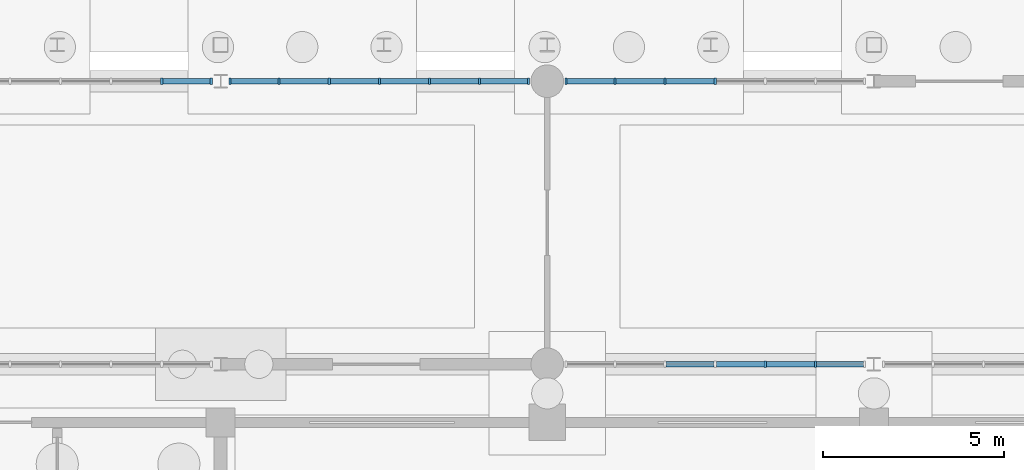
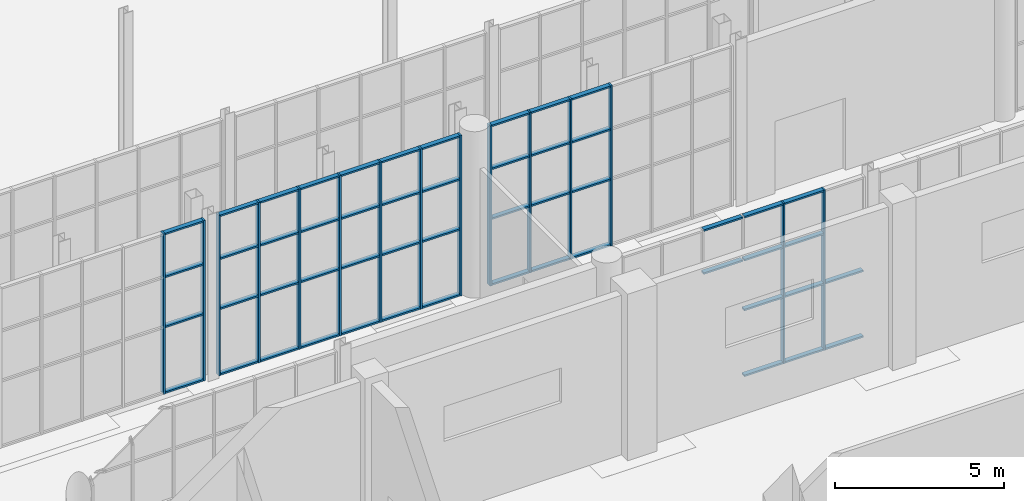
# One storey, part 46 of 131: 67 members, 4 elements without a shape of their own.
"""IFC4 building model written with IfcOpenShell, lengths in metres."""

from ifc_helpers import new_model, si_unit, direction, frame, origin, origin_2d, place, context, subcontext, project, spatial, rectangle, extrude, material, layer, layer_set, material_profile, profile_set, type_object, element, aggregate, save


model = new_model("IFC4")

# Units and contexts
model_context = context("Model", 3, precision=1e-05, world=origin(), true_north=direction((0.0, 1.0)))
body_context = subcontext(model_context, "Body", "Model", "MODEL_VIEW")
ifc_project = project(units=[si_unit("LENGTHUNIT", "METRE"), si_unit("AREAUNIT", "SQUARE_METRE"), si_unit("VOLUMEUNIT", "CUBIC_METRE"), si_unit("PLANEANGLEUNIT", "RADIAN"), si_unit("MASSUNIT", "GRAM", prefix="KILO")], contexts=[model_context])

# Site, building, storey
site_placement = place(None, origin())
site = spatial("IfcSite", under=ifc_project, at=site_placement, CompositionType="ELEMENT")
building_placement = place(site_placement, origin())
building = spatial("IfcBuilding", under=site, at=building_placement, Name="Cazmaro Siding Exhibition Halls", CompositionType="ELEMENT")
storey_placement = place(building_placement, origin())
storey = spatial("IfcBuildingStorey", under=building, at=storey_placement, Name="L00", CompositionType="ELEMENT", Elevation=0.0)

# Curtain wall, members
ifc_material_1 = material(Name="Anodized Bronze Aluminum and Solar-Control Low-E Glazing", Category="aluminium")
ifc_layer = layer(ifc_material_1, 0.179931640625)
ifc_layer_set = layer_set([ifc_layer], Name="Anodized Bronze Aluminum and Solar-Control Low-E Glazing")
curtain_wall_type = type_object("IfcCurtainWallType", Name="CWS-01", PredefinedType="USERDEFINED", material=ifc_layer_set)
curtain_wall_1_placement = place(storey_placement, origin())
curtain_wall_1 = element("IfcCurtainWall", 1, at=curtain_wall_1_placement, inside=storey, type_object=curtain_wall_type, Name="Glazed Curtain Wall CWS-01 CW-162", ObjectType="GLAZED CURTAIN WALL", PredefinedType="USERDEFINED")
ifc_material_2 = material(Name="Anodized Bronze Extruded Aluminum", Category="aluminium")
ifc_material_profile_1 = material_profile(ifc_material_2, rectangle(XDim=0.179931640625, YDim=0.06005859375, at=origin_2d()), Name="CWM-01")
ifc_profile_set_1 = profile_set([ifc_material_profile_1], Name="Anodized Bronze Extruded Aluminum")
member_type_1 = type_object("IfcMemberType", Name="CWM-01", PredefinedType="MULLION", material=ifc_profile_set_1)
member_1_placement = place(storey_placement, frame((80.739990234375, 63.0, 0.0), z_axis=(0.0, 0.0, 1.0), x_axis=(0.0, -1.0, 0.0)))
member_1 = element("IfcMember", 2, at=member_1_placement, type_object=member_type_1, Name="CWS-01 mullion 1", PredefinedType="MULLION", context=body_context, shape_type="SweptSolid", body=[
    extrude(rectangle(XDim=0.179931640625, YDim=0.06005859375, at=origin_2d()), origin(), (0.0, 0.0, 1.0), 5.780029296875),
])
member_2_placement = place(storey_placement, frame((79.376220703125, 63.0, 0.0), z_axis=(0.0, 0.0, 1.0), x_axis=(0.0, -1.0, 0.0)))
member_2 = element("IfcMember", 3, at=member_2_placement, type_object=member_type_1, Name="CWS-01 mullion 2", PredefinedType="MULLION", context=body_context, shape_type="SweptSolid", body=[
    extrude(rectangle(XDim=0.179931640625, YDim=0.06005859375, at=origin_2d()), origin(), (0.0, 0.0, 1.0), 5.780029296875),
])

curtain_wall_2_placement = place(storey_placement, origin())
curtain_wall_2 = element("IfcCurtainWall", 4, at=curtain_wall_2_placement, inside=storey, type_object=curtain_wall_type, Name="Glazed Curtain Wall CWS-01 CW-167", ObjectType="GLAZED CURTAIN WALL", PredefinedType="USERDEFINED")
member_3_placement = place(storey_placement, frame((89.487060546875, 63.0, 0.0), z_axis=(0.0, 0.0, 1.0), x_axis=(0.0, -1.0, 0.0)))
member_3 = element("IfcMember", 5, at=member_3_placement, type_object=member_type_1, Name="CWS-01 mullion 1", PredefinedType="MULLION", context=body_context, shape_type="SweptSolid", body=[
    extrude(rectangle(XDim=0.179931640625, YDim=0.06005859375, at=origin_2d()), origin(), (0.0, 0.0, 1.0), 5.780029296875),
])
member_4_placement = place(storey_placement, frame((88.1357421875, 63.0, 0.0), z_axis=(0.0, 0.0, 1.0), x_axis=(0.0, -1.0, 0.0)))
member_4 = element("IfcMember", 6, at=member_4_placement, type_object=member_type_1, Name="CWS-01 mullion 2", PredefinedType="MULLION", context=body_context, shape_type="SweptSolid", body=[
    extrude(rectangle(XDim=0.179931640625, YDim=0.06005859375, at=origin_2d()), origin(), (0.0, 0.0, 1.0), 5.780029296875),
])
member_5_placement = place(storey_placement, frame((86.754638671875, 63.0, 0.0), z_axis=(0.0, 0.0, 1.0), x_axis=(0.0, -1.0, 0.0)))
member_5 = element("IfcMember", 7, at=member_5_placement, type_object=member_type_1, Name="CWS-01 mullion 3", PredefinedType="MULLION", context=body_context, shape_type="SweptSolid", body=[
    extrude(rectangle(XDim=0.179931640625, YDim=0.06005859375, at=origin_2d()), origin(), (0.0, 0.0, 1.0), 5.780029296875),
])
member_6_placement = place(storey_placement, frame((85.37353515625, 63.0, 0.0), z_axis=(0.0, 0.0, 1.0), x_axis=(0.0, -1.0, 0.0)))
member_6 = element("IfcMember", 8, at=member_6_placement, type_object=member_type_1, Name="CWS-01 mullion 4", PredefinedType="MULLION", context=body_context, shape_type="SweptSolid", body=[
    extrude(rectangle(XDim=0.179931640625, YDim=0.06005859375, at=origin_2d()), origin(), (0.0, 0.0, 1.0), 5.780029296875),
])
member_7_placement = place(storey_placement, frame((83.992431640625, 63.0, 0.0), z_axis=(0.0, 0.0, 1.0), x_axis=(0.0, -1.0, 0.0)))
member_7 = element("IfcMember", 9, at=member_7_placement, type_object=member_type_1, Name="CWS-01 mullion 5", PredefinedType="MULLION", context=body_context, shape_type="SweptSolid", body=[
    extrude(rectangle(XDim=0.179931640625, YDim=0.06005859375, at=origin_2d()), origin(), (0.0, 0.0, 1.0), 5.780029296875),
])
member_8_placement = place(storey_placement, frame((82.611083984375, 63.0, 0.0), z_axis=(0.0, 0.0, 1.0), x_axis=(0.0, -1.0, 0.0)))
member_8 = element("IfcMember", 10, at=member_8_placement, type_object=member_type_1, Name="CWS-01 mullion 6", PredefinedType="MULLION", context=body_context, shape_type="SweptSolid", body=[
    extrude(rectangle(XDim=0.179931640625, YDim=0.06005859375, at=origin_2d()), origin(), (0.0, 0.0, 1.0), 5.780029296875),
])
member_9_placement = place(storey_placement, frame((81.260009765625, 63.0, 0.0), z_axis=(0.0, 0.0, 1.0), x_axis=(0.0, -1.0, 0.0)))
member_9 = element("IfcMember", 11, at=member_9_placement, type_object=member_type_1, Name="CWS-01 mullion 7", PredefinedType="MULLION", context=body_context, shape_type="SweptSolid", body=[
    extrude(rectangle(XDim=0.179931640625, YDim=0.06005859375, at=origin_2d()), origin(), (0.0, 0.0, 1.0), 5.780029296875),
])

curtain_wall_3_placement = place(storey_placement, origin())
curtain_wall_3 = element("IfcCurtainWall", 12, at=curtain_wall_3_placement, inside=storey, type_object=curtain_wall_type, Name="Glazed Curtain Wall CWS-01 CW-170", ObjectType="GLAZED CURTAIN WALL", PredefinedType="USERDEFINED")
member_10_placement = place(storey_placement, frame((96.007568359375, 55.199951171875, 0.0), z_axis=(0.0, 0.0, 1.0), x_axis=(0.0, 1.0, 0.0)))
member_10 = element("IfcMember", 13, at=member_10_placement, type_object=member_type_1, Name="CWS-01 mullion 5", PredefinedType="MULLION", context=body_context, shape_type="SweptSolid", body=[
    extrude(rectangle(XDim=0.179931640625, YDim=0.06005859375, at=origin_2d()), origin(), (0.0, 0.0, 1.0), 5.780029296875),
])
member_11_placement = place(storey_placement, frame((97.388916015625, 55.199951171875, 0.0), z_axis=(0.0, 0.0, 1.0), x_axis=(0.0, 1.0, 0.0)))
member_11 = element("IfcMember", 14, at=member_11_placement, type_object=member_type_1, Name="CWS-01 mullion 6", PredefinedType="MULLION", context=body_context, shape_type="SweptSolid", body=[
    extrude(rectangle(XDim=0.179931640625, YDim=0.06005859375, at=origin_2d()), origin(), (0.0, 0.0, 1.0), 5.780029296875),
])

curtain_wall_4_placement = place(storey_placement, origin())
curtain_wall_4 = element("IfcCurtainWall", 15, at=curtain_wall_4_placement, inside=storey, type_object=curtain_wall_type, Name="Glazed Curtain Wall CWS-01 CW-171", ObjectType="GLAZED CURTAIN WALL", PredefinedType="USERDEFINED")
member_12_placement = place(storey_placement, frame((94.62646484375, 63.0, 0.0), z_axis=(0.0, 0.0, 1.0), x_axis=(0.0, -1.0, 0.0)))
member_12 = element("IfcMember", 16, at=member_12_placement, type_object=member_type_1, Name="CWS-01 mullion 4", PredefinedType="MULLION", context=body_context, shape_type="SweptSolid", body=[
    extrude(rectangle(XDim=0.179931640625, YDim=0.06005859375, at=origin_2d()), origin(), (0.0, 0.0, 1.0), 5.780029296875),
])
member_13_placement = place(storey_placement, frame((93.245361328125, 63.0, 0.0), z_axis=(0.0, 0.0, 1.0), x_axis=(0.0, -1.0, 0.0)))
member_13 = element("IfcMember", 17, at=member_13_placement, type_object=member_type_1, Name="CWS-01 mullion 5", PredefinedType="MULLION", context=body_context, shape_type="SweptSolid", body=[
    extrude(rectangle(XDim=0.179931640625, YDim=0.06005859375, at=origin_2d()), origin(), (0.0, 0.0, 1.0), 5.780029296875),
])
member_14_placement = place(storey_placement, frame((91.8642578125, 63.0, 0.0), z_axis=(0.0, 0.0, 1.0), x_axis=(0.0, -1.0, 0.0)))
member_14 = element("IfcMember", 18, at=member_14_placement, type_object=member_type_1, Name="CWS-01 mullion 6", PredefinedType="MULLION", context=body_context, shape_type="SweptSolid", body=[
    extrude(rectangle(XDim=0.179931640625, YDim=0.06005859375, at=origin_2d()), origin(), (0.0, 0.0, 1.0), 5.780029296875),
])
member_15_placement = place(storey_placement, frame((90.512939453125, 63.0, 0.0), z_axis=(0.0, 0.0, 1.0), x_axis=(0.0, -1.0, 0.0)))
member_15 = element("IfcMember", 19, at=member_15_placement, type_object=member_type_1, Name="CWS-01 mullion 7", PredefinedType="MULLION", context=body_context, shape_type="SweptSolid", body=[
    extrude(rectangle(XDim=0.179931640625, YDim=0.06005859375, at=origin_2d()), origin(), (0.0, 0.0, 1.0), 5.780029296875),
])

# Member
ifc_material_3 = material(Name="Anodized Bronze Extruded Aluminum", Category="aluminium")
ifc_material_profile_2 = material_profile(ifc_material_3, rectangle(XDim=0.159912109375, YDim=0.06005859375, at=origin_2d()), Name="CWT-01")
ifc_profile_set_2 = profile_set([ifc_material_profile_2], Name="Anodized Bronze Extruded Aluminum")
member_type_2 = type_object("IfcMemberType", Name="CWT-01", PredefinedType="MULLION", material=ifc_profile_set_2)
member_16_placement = place(storey_placement, frame((80.7099609375, 63.0, 0.030029296875), z_axis=(-1.0, 0.0, 0.0), x_axis=(0.0, -1.0, 0.0)))
member_16 = element("IfcMember", 20, at=member_16_placement, type_object=member_type_2, Name="CWS-01 transom 1.1", ObjectType="TRANSOM", PredefinedType="USERDEFINED", context=body_context, shape_type="SweptSolid", body=[
    extrude(rectangle(XDim=0.159912109375, YDim=0.06005859375, at=origin_2d()), origin(), (0.0, 0.0, 1.0), 1.3037109375),
])

member_17_placement = place(storey_placement, frame((80.7099609375, 63.0, 2.39990234375), z_axis=(-1.0, 0.0, 0.0), x_axis=(0.0, -1.0, 0.0)))
member_17 = element("IfcMember", 21, at=member_17_placement, type_object=member_type_2, Name="CWS-01 transom 1.2", ObjectType="TRANSOM", PredefinedType="USERDEFINED", context=body_context, shape_type="SweptSolid", body=[
    extrude(rectangle(XDim=0.159912109375, YDim=0.06005859375, at=origin_2d()), origin(), (0.0, 0.0, 1.0), 1.3037109375),
])

member_18_placement = place(storey_placement, frame((80.7099609375, 63.0, 4.199951171875), z_axis=(-1.0, 0.0, 0.0), x_axis=(0.0, -1.0, 0.0)))
member_18 = element("IfcMember", 22, at=member_18_placement, type_object=member_type_2, Name="CWS-01 transom 1.3", ObjectType="TRANSOM", PredefinedType="USERDEFINED", context=body_context, shape_type="SweptSolid", body=[
    extrude(rectangle(XDim=0.159912109375, YDim=0.06005859375, at=origin_2d()), origin(), (0.0, 0.0, 1.0), 1.3037109375),
])

member_19_placement = place(storey_placement, frame((80.7099609375, 63.0, 5.75), z_axis=(-1.0, 0.0, 0.0), x_axis=(0.0, -1.0, 0.0)))
member_19 = element("IfcMember", 23, at=member_19_placement, type_object=member_type_2, Name="CWS-01 transom 1.4", ObjectType="TRANSOM", PredefinedType="USERDEFINED", context=body_context, shape_type="SweptSolid", body=[
    extrude(rectangle(XDim=0.159912109375, YDim=0.06005859375, at=origin_2d()), origin(), (0.0, 0.0, 1.0), 1.3037109375),
])

aggregate(curtain_wall_1, [member_1, member_2, member_16, member_17, member_18, member_19])

member_20_placement = place(storey_placement, frame((89.45703125, 63.0, 0.030029296875), z_axis=(-1.0, 0.0, 0.0), x_axis=(0.0, -1.0, 0.0)))
member_20 = element("IfcMember", 24, at=member_20_placement, type_object=member_type_2, Name="CWS-01 transom 1.1", ObjectType="TRANSOM", PredefinedType="USERDEFINED", context=body_context, shape_type="SweptSolid", body=[
    extrude(rectangle(XDim=0.159912109375, YDim=0.06005859375, at=origin_2d()), origin(), (0.0, 0.0, 1.0), 1.291259765625),
])

member_21_placement = place(storey_placement, frame((89.45703125, 63.0, 2.39990234375), z_axis=(-1.0, 0.0, 0.0), x_axis=(0.0, -1.0, 0.0)))
member_21 = element("IfcMember", 25, at=member_21_placement, type_object=member_type_2, Name="CWS-01 transom 1.2", ObjectType="TRANSOM", PredefinedType="USERDEFINED", context=body_context, shape_type="SweptSolid", body=[
    extrude(rectangle(XDim=0.159912109375, YDim=0.06005859375, at=origin_2d()), origin(), (0.0, 0.0, 1.0), 1.291259765625),
])

member_22_placement = place(storey_placement, frame((89.45703125, 63.0, 4.199951171875), z_axis=(-1.0, 0.0, 0.0), x_axis=(0.0, -1.0, 0.0)))
member_22 = element("IfcMember", 26, at=member_22_placement, type_object=member_type_2, Name="CWS-01 transom 1.3", ObjectType="TRANSOM", PredefinedType="USERDEFINED", context=body_context, shape_type="SweptSolid", body=[
    extrude(rectangle(XDim=0.159912109375, YDim=0.06005859375, at=origin_2d()), origin(), (0.0, 0.0, 1.0), 1.291259765625),
])

member_23_placement = place(storey_placement, frame((89.45703125, 63.0, 5.75), z_axis=(-1.0, 0.0, 0.0), x_axis=(0.0, -1.0, 0.0)))
member_23 = element("IfcMember", 27, at=member_23_placement, type_object=member_type_2, Name="CWS-01 transom 1.4", ObjectType="TRANSOM", PredefinedType="USERDEFINED", context=body_context, shape_type="SweptSolid", body=[
    extrude(rectangle(XDim=0.159912109375, YDim=0.06005859375, at=origin_2d()), origin(), (0.0, 0.0, 1.0), 1.291259765625),
])

member_24_placement = place(storey_placement, frame((88.105712890625, 63.0, 0.030029296875), z_axis=(-1.0, 0.0, 0.0), x_axis=(0.0, -1.0, 0.0)))
member_24 = element("IfcMember", 28, at=member_24_placement, type_object=member_type_2, Name="CWS-01 transom 2.1", ObjectType="TRANSOM", PredefinedType="USERDEFINED", context=body_context, shape_type="SweptSolid", body=[
    extrude(rectangle(XDim=0.159912109375, YDim=0.06005859375, at=origin_2d()), origin(), (0.0, 0.0, 1.0), 1.321044921875),
])

member_25_placement = place(storey_placement, frame((88.105712890625, 63.0, 2.39990234375), z_axis=(-1.0, 0.0, 0.0), x_axis=(0.0, -1.0, 0.0)))
member_25 = element("IfcMember", 29, at=member_25_placement, type_object=member_type_2, Name="CWS-01 transom 2.2", ObjectType="TRANSOM", PredefinedType="USERDEFINED", context=body_context, shape_type="SweptSolid", body=[
    extrude(rectangle(XDim=0.159912109375, YDim=0.06005859375, at=origin_2d()), origin(), (0.0, 0.0, 1.0), 1.321044921875),
])

member_26_placement = place(storey_placement, frame((88.105712890625, 63.0, 4.199951171875), z_axis=(-1.0, 0.0, 0.0), x_axis=(0.0, -1.0, 0.0)))
member_26 = element("IfcMember", 30, at=member_26_placement, type_object=member_type_2, Name="CWS-01 transom 2.3", ObjectType="TRANSOM", PredefinedType="USERDEFINED", context=body_context, shape_type="SweptSolid", body=[
    extrude(rectangle(XDim=0.159912109375, YDim=0.06005859375, at=origin_2d()), origin(), (0.0, 0.0, 1.0), 1.321044921875),
])

member_27_placement = place(storey_placement, frame((88.105712890625, 63.0, 5.75), z_axis=(-1.0, 0.0, 0.0), x_axis=(0.0, -1.0, 0.0)))
member_27 = element("IfcMember", 31, at=member_27_placement, type_object=member_type_2, Name="CWS-01 transom 2.4", ObjectType="TRANSOM", PredefinedType="USERDEFINED", context=body_context, shape_type="SweptSolid", body=[
    extrude(rectangle(XDim=0.159912109375, YDim=0.06005859375, at=origin_2d()), origin(), (0.0, 0.0, 1.0), 1.321044921875),
])

member_28_placement = place(storey_placement, frame((86.724609375, 63.0, 0.030029296875), z_axis=(-1.0, 0.0, 0.0), x_axis=(0.0, -1.0, 0.0)))
member_28 = element("IfcMember", 32, at=member_28_placement, type_object=member_type_2, Name="CWS-01 transom 3.1", ObjectType="TRANSOM", PredefinedType="USERDEFINED", context=body_context, shape_type="SweptSolid", body=[
    extrude(rectangle(XDim=0.159912109375, YDim=0.06005859375, at=origin_2d()), origin(), (0.0, 0.0, 1.0), 1.321044921875),
])

member_29_placement = place(storey_placement, frame((86.724609375, 63.0, 2.39990234375), z_axis=(-1.0, 0.0, 0.0), x_axis=(0.0, -1.0, 0.0)))
member_29 = element("IfcMember", 33, at=member_29_placement, type_object=member_type_2, Name="CWS-01 transom 3.2", ObjectType="TRANSOM", PredefinedType="USERDEFINED", context=body_context, shape_type="SweptSolid", body=[
    extrude(rectangle(XDim=0.159912109375, YDim=0.06005859375, at=origin_2d()), origin(), (0.0, 0.0, 1.0), 1.321044921875),
])

member_30_placement = place(storey_placement, frame((86.724609375, 63.0, 4.199951171875), z_axis=(-1.0, 0.0, 0.0), x_axis=(0.0, -1.0, 0.0)))
member_30 = element("IfcMember", 34, at=member_30_placement, type_object=member_type_2, Name="CWS-01 transom 3.3", ObjectType="TRANSOM", PredefinedType="USERDEFINED", context=body_context, shape_type="SweptSolid", body=[
    extrude(rectangle(XDim=0.159912109375, YDim=0.06005859375, at=origin_2d()), origin(), (0.0, 0.0, 1.0), 1.321044921875),
])

member_31_placement = place(storey_placement, frame((86.724609375, 63.0, 5.75), z_axis=(-1.0, 0.0, 0.0), x_axis=(0.0, -1.0, 0.0)))
member_31 = element("IfcMember", 35, at=member_31_placement, type_object=member_type_2, Name="CWS-01 transom 3.4", ObjectType="TRANSOM", PredefinedType="USERDEFINED", context=body_context, shape_type="SweptSolid", body=[
    extrude(rectangle(XDim=0.159912109375, YDim=0.06005859375, at=origin_2d()), origin(), (0.0, 0.0, 1.0), 1.321044921875),
])

member_32_placement = place(storey_placement, frame((85.343505859375, 63.0, 0.030029296875), z_axis=(-1.0, 0.0, 0.0), x_axis=(0.0, -1.0, 0.0)))
member_32 = element("IfcMember", 36, at=member_32_placement, type_object=member_type_2, Name="CWS-01 transom 4.1", ObjectType="TRANSOM", PredefinedType="USERDEFINED", context=body_context, shape_type="SweptSolid", body=[
    extrude(rectangle(XDim=0.159912109375, YDim=0.06005859375, at=origin_2d()), origin(), (0.0, 0.0, 1.0), 1.3212890625),
])

member_33_placement = place(storey_placement, frame((85.343505859375, 63.0, 2.39990234375), z_axis=(-1.0, 0.0, 0.0), x_axis=(0.0, -1.0, 0.0)))
member_33 = element("IfcMember", 37, at=member_33_placement, type_object=member_type_2, Name="CWS-01 transom 4.2", ObjectType="TRANSOM", PredefinedType="USERDEFINED", context=body_context, shape_type="SweptSolid", body=[
    extrude(rectangle(XDim=0.159912109375, YDim=0.06005859375, at=origin_2d()), origin(), (0.0, 0.0, 1.0), 1.3212890625),
])

member_34_placement = place(storey_placement, frame((85.343505859375, 63.0, 4.199951171875), z_axis=(-1.0, 0.0, 0.0), x_axis=(0.0, -1.0, 0.0)))
member_34 = element("IfcMember", 38, at=member_34_placement, type_object=member_type_2, Name="CWS-01 transom 4.3", ObjectType="TRANSOM", PredefinedType="USERDEFINED", context=body_context, shape_type="SweptSolid", body=[
    extrude(rectangle(XDim=0.159912109375, YDim=0.06005859375, at=origin_2d()), origin(), (0.0, 0.0, 1.0), 1.3212890625),
])

member_35_placement = place(storey_placement, frame((85.343505859375, 63.0, 5.75), z_axis=(-1.0, 0.0, 0.0), x_axis=(0.0, -1.0, 0.0)))
member_35 = element("IfcMember", 39, at=member_35_placement, type_object=member_type_2, Name="CWS-01 transom 4.4", ObjectType="TRANSOM", PredefinedType="USERDEFINED", context=body_context, shape_type="SweptSolid", body=[
    extrude(rectangle(XDim=0.159912109375, YDim=0.06005859375, at=origin_2d()), origin(), (0.0, 0.0, 1.0), 1.3212890625),
])

member_36_placement = place(storey_placement, frame((83.96240234375, 63.0, 0.030029296875), z_axis=(-1.0, 0.0, 0.0), x_axis=(0.0, -1.0, 0.0)))
member_36 = element("IfcMember", 40, at=member_36_placement, type_object=member_type_2, Name="CWS-01 transom 5.1", ObjectType="TRANSOM", PredefinedType="USERDEFINED", context=body_context, shape_type="SweptSolid", body=[
    extrude(rectangle(XDim=0.159912109375, YDim=0.06005859375, at=origin_2d()), origin(), (0.0, 0.0, 1.0), 1.3212890625),
])

member_37_placement = place(storey_placement, frame((83.96240234375, 63.0, 2.39990234375), z_axis=(-1.0, 0.0, 0.0), x_axis=(0.0, -1.0, 0.0)))
member_37 = element("IfcMember", 41, at=member_37_placement, type_object=member_type_2, Name="CWS-01 transom 5.2", ObjectType="TRANSOM", PredefinedType="USERDEFINED", context=body_context, shape_type="SweptSolid", body=[
    extrude(rectangle(XDim=0.159912109375, YDim=0.06005859375, at=origin_2d()), origin(), (0.0, 0.0, 1.0), 1.3212890625),
])

member_38_placement = place(storey_placement, frame((83.96240234375, 63.0, 4.199951171875), z_axis=(-1.0, 0.0, 0.0), x_axis=(0.0, -1.0, 0.0)))
member_38 = element("IfcMember", 42, at=member_38_placement, type_object=member_type_2, Name="CWS-01 transom 5.3", ObjectType="TRANSOM", PredefinedType="USERDEFINED", context=body_context, shape_type="SweptSolid", body=[
    extrude(rectangle(XDim=0.159912109375, YDim=0.06005859375, at=origin_2d()), origin(), (0.0, 0.0, 1.0), 1.3212890625),
])

member_39_placement = place(storey_placement, frame((83.96240234375, 63.0, 5.75), z_axis=(-1.0, 0.0, 0.0), x_axis=(0.0, -1.0, 0.0)))
member_39 = element("IfcMember", 43, at=member_39_placement, type_object=member_type_2, Name="CWS-01 transom 5.4", ObjectType="TRANSOM", PredefinedType="USERDEFINED", context=body_context, shape_type="SweptSolid", body=[
    extrude(rectangle(XDim=0.159912109375, YDim=0.06005859375, at=origin_2d()), origin(), (0.0, 0.0, 1.0), 1.3212890625),
])

member_40_placement = place(storey_placement, frame((82.5810546875, 63.0, 0.030029296875), z_axis=(-1.0, 0.0, 0.0), x_axis=(0.0, -1.0, 0.0)))
member_40 = element("IfcMember", 44, at=member_40_placement, type_object=member_type_2, Name="CWS-01 transom 6.1", ObjectType="TRANSOM", PredefinedType="USERDEFINED", context=body_context, shape_type="SweptSolid", body=[
    extrude(rectangle(XDim=0.159912109375, YDim=0.06005859375, at=origin_2d()), origin(), (0.0, 0.0, 1.0), 1.291015625),
])

member_41_placement = place(storey_placement, frame((82.5810546875, 63.0, 2.39990234375), z_axis=(-1.0, 0.0, 0.0), x_axis=(0.0, -1.0, 0.0)))
member_41 = element("IfcMember", 45, at=member_41_placement, type_object=member_type_2, Name="CWS-01 transom 6.2", ObjectType="TRANSOM", PredefinedType="USERDEFINED", context=body_context, shape_type="SweptSolid", body=[
    extrude(rectangle(XDim=0.159912109375, YDim=0.06005859375, at=origin_2d()), origin(), (0.0, 0.0, 1.0), 1.291015625),
])

member_42_placement = place(storey_placement, frame((82.5810546875, 63.0, 4.199951171875), z_axis=(-1.0, 0.0, 0.0), x_axis=(0.0, -1.0, 0.0)))
member_42 = element("IfcMember", 46, at=member_42_placement, type_object=member_type_2, Name="CWS-01 transom 6.3", ObjectType="TRANSOM", PredefinedType="USERDEFINED", context=body_context, shape_type="SweptSolid", body=[
    extrude(rectangle(XDim=0.159912109375, YDim=0.06005859375, at=origin_2d()), origin(), (0.0, 0.0, 1.0), 1.291015625),
])

member_43_placement = place(storey_placement, frame((82.5810546875, 63.0, 5.75), z_axis=(-1.0, 0.0, 0.0), x_axis=(0.0, -1.0, 0.0)))
member_43 = element("IfcMember", 47, at=member_43_placement, type_object=member_type_2, Name="CWS-01 transom 6.4", ObjectType="TRANSOM", PredefinedType="USERDEFINED", context=body_context, shape_type="SweptSolid", body=[
    extrude(rectangle(XDim=0.159912109375, YDim=0.06005859375, at=origin_2d()), origin(), (0.0, 0.0, 1.0), 1.291015625),
])

aggregate(curtain_wall_2, [member_3, member_4, member_5, member_6, member_7, member_8, member_9, member_20, member_21, member_22, member_23, member_24, member_25, member_26, member_27, member_28, member_29, member_30, member_31, member_32, member_33, member_34, member_35, member_36, member_37, member_38, member_39, member_40, member_41, member_42, member_43])

member_44_placement = place(storey_placement, frame((93.275390625, 55.199951171875, 4.199951171875), z_axis=(1.0, 0.0, 0.0), x_axis=(0.0, 1.0, 0.0)))
member_44 = element("IfcMember", 48, at=member_44_placement, type_object=member_type_2, Name="CWS-01 transom 3.3", ObjectType="TRANSOM", PredefinedType="USERDEFINED", context=body_context, shape_type="SweptSolid", body=[
    extrude(rectangle(XDim=0.159912109375, YDim=0.06005859375, at=origin_2d()), origin(), (0.0, 0.0, 1.0), 1.321044921875),
])

member_45_placement = place(storey_placement, frame((93.275390625, 55.199951171875, 5.75), z_axis=(1.0, 0.0, 0.0), x_axis=(0.0, 1.0, 0.0)))
member_45 = element("IfcMember", 49, at=member_45_placement, type_object=member_type_2, Name="CWS-01 transom 3.4", ObjectType="TRANSOM", PredefinedType="USERDEFINED", context=body_context, shape_type="SweptSolid", body=[
    extrude(rectangle(XDim=0.159912109375, YDim=0.06005859375, at=origin_2d()), origin(), (0.0, 0.0, 1.0), 1.321044921875),
])

member_46_placement = place(storey_placement, frame((94.656494140625, 55.199951171875, 0.030029296875), z_axis=(1.0, 0.0, 0.0), x_axis=(0.0, 1.0, 0.0)))
member_46 = element("IfcMember", 50, at=member_46_placement, type_object=member_type_2, Name="CWS-01 transom 4.1", ObjectType="TRANSOM", PredefinedType="USERDEFINED", context=body_context, shape_type="SweptSolid", body=[
    extrude(rectangle(XDim=0.159912109375, YDim=0.06005859375, at=origin_2d()), origin(), (0.0, 0.0, 1.0), 1.3212890625),
])

member_47_placement = place(storey_placement, frame((94.656494140625, 55.199951171875, 2.39990234375), z_axis=(1.0, 0.0, 0.0), x_axis=(0.0, 1.0, 0.0)))
member_47 = element("IfcMember", 51, at=member_47_placement, type_object=member_type_2, Name="CWS-01 transom 4.2", ObjectType="TRANSOM", PredefinedType="USERDEFINED", context=body_context, shape_type="SweptSolid", body=[
    extrude(rectangle(XDim=0.159912109375, YDim=0.06005859375, at=origin_2d()), origin(), (0.0, 0.0, 1.0), 1.3212890625),
])

member_48_placement = place(storey_placement, frame((94.656494140625, 55.199951171875, 4.199951171875), z_axis=(1.0, 0.0, 0.0), x_axis=(0.0, 1.0, 0.0)))
member_48 = element("IfcMember", 52, at=member_48_placement, type_object=member_type_2, Name="CWS-01 transom 4.3", ObjectType="TRANSOM", PredefinedType="USERDEFINED", context=body_context, shape_type="SweptSolid", body=[
    extrude(rectangle(XDim=0.159912109375, YDim=0.06005859375, at=origin_2d()), origin(), (0.0, 0.0, 1.0), 1.3212890625),
])

member_49_placement = place(storey_placement, frame((94.656494140625, 55.199951171875, 5.75), z_axis=(1.0, 0.0, 0.0), x_axis=(0.0, 1.0, 0.0)))
member_49 = element("IfcMember", 53, at=member_49_placement, type_object=member_type_2, Name="CWS-01 transom 4.4", ObjectType="TRANSOM", PredefinedType="USERDEFINED", context=body_context, shape_type="SweptSolid", body=[
    extrude(rectangle(XDim=0.159912109375, YDim=0.06005859375, at=origin_2d()), origin(), (0.0, 0.0, 1.0), 1.3212890625),
])

member_50_placement = place(storey_placement, frame((96.03759765625, 55.199951171875, 0.030029296875), z_axis=(1.0, 0.0, 0.0), x_axis=(0.0, 1.0, 0.0)))
member_50 = element("IfcMember", 54, at=member_50_placement, type_object=member_type_2, Name="CWS-01 transom 5.1", ObjectType="TRANSOM", PredefinedType="USERDEFINED", context=body_context, shape_type="SweptSolid", body=[
    extrude(rectangle(XDim=0.159912109375, YDim=0.06005859375, at=origin_2d()), origin(), (0.0, 0.0, 1.0), 1.3212890625),
])

member_51_placement = place(storey_placement, frame((96.03759765625, 55.199951171875, 2.39990234375), z_axis=(1.0, 0.0, 0.0), x_axis=(0.0, 1.0, 0.0)))
member_51 = element("IfcMember", 55, at=member_51_placement, type_object=member_type_2, Name="CWS-01 transom 5.2", ObjectType="TRANSOM", PredefinedType="USERDEFINED", context=body_context, shape_type="SweptSolid", body=[
    extrude(rectangle(XDim=0.159912109375, YDim=0.06005859375, at=origin_2d()), origin(), (0.0, 0.0, 1.0), 1.3212890625),
])

member_52_placement = place(storey_placement, frame((96.03759765625, 55.199951171875, 4.199951171875), z_axis=(1.0, 0.0, 0.0), x_axis=(0.0, 1.0, 0.0)))
member_52 = element("IfcMember", 56, at=member_52_placement, type_object=member_type_2, Name="CWS-01 transom 5.3", ObjectType="TRANSOM", PredefinedType="USERDEFINED", context=body_context, shape_type="SweptSolid", body=[
    extrude(rectangle(XDim=0.159912109375, YDim=0.06005859375, at=origin_2d()), origin(), (0.0, 0.0, 1.0), 1.3212890625),
])

member_53_placement = place(storey_placement, frame((96.03759765625, 55.199951171875, 5.75), z_axis=(1.0, 0.0, 0.0), x_axis=(0.0, 1.0, 0.0)))
member_53 = element("IfcMember", 57, at=member_53_placement, type_object=member_type_2, Name="CWS-01 transom 5.4", ObjectType="TRANSOM", PredefinedType="USERDEFINED", context=body_context, shape_type="SweptSolid", body=[
    extrude(rectangle(XDim=0.159912109375, YDim=0.06005859375, at=origin_2d()), origin(), (0.0, 0.0, 1.0), 1.3212890625),
])

member_54_placement = place(storey_placement, frame((97.4189453125, 55.199951171875, 0.030029296875), z_axis=(1.0, 0.0, 0.0), x_axis=(0.0, 1.0, 0.0)))
member_54 = element("IfcMember", 58, at=member_54_placement, type_object=member_type_2, Name="CWS-01 transom 6.1", ObjectType="TRANSOM", PredefinedType="USERDEFINED", context=body_context, shape_type="SweptSolid", body=[
    extrude(rectangle(XDim=0.159912109375, YDim=0.06005859375, at=origin_2d()), origin(), (0.0, 0.0, 1.0), 1.291015625),
])

member_55_placement = place(storey_placement, frame((97.4189453125, 55.199951171875, 2.39990234375), z_axis=(1.0, 0.0, 0.0), x_axis=(0.0, 1.0, 0.0)))
member_55 = element("IfcMember", 59, at=member_55_placement, type_object=member_type_2, Name="CWS-01 transom 6.2", ObjectType="TRANSOM", PredefinedType="USERDEFINED", context=body_context, shape_type="SweptSolid", body=[
    extrude(rectangle(XDim=0.159912109375, YDim=0.06005859375, at=origin_2d()), origin(), (0.0, 0.0, 1.0), 1.291015625),
])

aggregate(curtain_wall_3, [member_10, member_11, member_44, member_45, member_46, member_47, member_48, member_49, member_50, member_51, member_52, member_53, member_54, member_55])

member_56_placement = place(storey_placement, frame((94.596435546875, 63.0, 0.030029296875), z_axis=(-1.0, 0.0, 0.0), x_axis=(0.0, -1.0, 0.0)))
member_56 = element("IfcMember", 60, at=member_56_placement, type_object=member_type_2, Name="CWS-01 transom 4.1", ObjectType="TRANSOM", PredefinedType="USERDEFINED", context=body_context, shape_type="SweptSolid", body=[
    extrude(rectangle(XDim=0.159912109375, YDim=0.06005859375, at=origin_2d()), origin(), (0.0, 0.0, 1.0), 1.321044921875),
])

member_57_placement = place(storey_placement, frame((94.596435546875, 63.0, 2.39990234375), z_axis=(-1.0, 0.0, 0.0), x_axis=(0.0, -1.0, 0.0)))
member_57 = element("IfcMember", 61, at=member_57_placement, type_object=member_type_2, Name="CWS-01 transom 4.2", ObjectType="TRANSOM", PredefinedType="USERDEFINED", context=body_context, shape_type="SweptSolid", body=[
    extrude(rectangle(XDim=0.159912109375, YDim=0.06005859375, at=origin_2d()), origin(), (0.0, 0.0, 1.0), 1.321044921875),
])

member_58_placement = place(storey_placement, frame((94.596435546875, 63.0, 4.199951171875), z_axis=(-1.0, 0.0, 0.0), x_axis=(0.0, -1.0, 0.0)))
member_58 = element("IfcMember", 62, at=member_58_placement, type_object=member_type_2, Name="CWS-01 transom 4.3", ObjectType="TRANSOM", PredefinedType="USERDEFINED", context=body_context, shape_type="SweptSolid", body=[
    extrude(rectangle(XDim=0.159912109375, YDim=0.06005859375, at=origin_2d()), origin(), (0.0, 0.0, 1.0), 1.321044921875),
])

member_59_placement = place(storey_placement, frame((94.596435546875, 63.0, 5.75), z_axis=(-1.0, 0.0, 0.0), x_axis=(0.0, -1.0, 0.0)))
member_59 = element("IfcMember", 63, at=member_59_placement, type_object=member_type_2, Name="CWS-01 transom 4.4", ObjectType="TRANSOM", PredefinedType="USERDEFINED", context=body_context, shape_type="SweptSolid", body=[
    extrude(rectangle(XDim=0.159912109375, YDim=0.06005859375, at=origin_2d()), origin(), (0.0, 0.0, 1.0), 1.321044921875),
])

member_60_placement = place(storey_placement, frame((93.21533203125, 63.0, 0.030029296875), z_axis=(-1.0, 0.0, 0.0), x_axis=(0.0, -1.0, 0.0)))
member_60 = element("IfcMember", 64, at=member_60_placement, type_object=member_type_2, Name="CWS-01 transom 5.1", ObjectType="TRANSOM", PredefinedType="USERDEFINED", context=body_context, shape_type="SweptSolid", body=[
    extrude(rectangle(XDim=0.159912109375, YDim=0.06005859375, at=origin_2d()), origin(), (0.0, 0.0, 1.0), 1.321044921875),
])

member_61_placement = place(storey_placement, frame((93.21533203125, 63.0, 2.39990234375), z_axis=(-1.0, 0.0, 0.0), x_axis=(0.0, -1.0, 0.0)))
member_61 = element("IfcMember", 65, at=member_61_placement, type_object=member_type_2, Name="CWS-01 transom 5.2", ObjectType="TRANSOM", PredefinedType="USERDEFINED", context=body_context, shape_type="SweptSolid", body=[
    extrude(rectangle(XDim=0.159912109375, YDim=0.06005859375, at=origin_2d()), origin(), (0.0, 0.0, 1.0), 1.321044921875),
])

member_62_placement = place(storey_placement, frame((93.21533203125, 63.0, 4.199951171875), z_axis=(-1.0, 0.0, 0.0), x_axis=(0.0, -1.0, 0.0)))
member_62 = element("IfcMember", 66, at=member_62_placement, type_object=member_type_2, Name="CWS-01 transom 5.3", ObjectType="TRANSOM", PredefinedType="USERDEFINED", context=body_context, shape_type="SweptSolid", body=[
    extrude(rectangle(XDim=0.159912109375, YDim=0.06005859375, at=origin_2d()), origin(), (0.0, 0.0, 1.0), 1.321044921875),
])

member_63_placement = place(storey_placement, frame((93.21533203125, 63.0, 5.75), z_axis=(-1.0, 0.0, 0.0), x_axis=(0.0, -1.0, 0.0)))
member_63 = element("IfcMember", 67, at=member_63_placement, type_object=member_type_2, Name="CWS-01 transom 5.4", ObjectType="TRANSOM", PredefinedType="USERDEFINED", context=body_context, shape_type="SweptSolid", body=[
    extrude(rectangle(XDim=0.159912109375, YDim=0.06005859375, at=origin_2d()), origin(), (0.0, 0.0, 1.0), 1.321044921875),
])

member_64_placement = place(storey_placement, frame((91.834228515625, 63.0, 0.030029296875), z_axis=(-1.0, 0.0, 0.0), x_axis=(0.0, -1.0, 0.0)))
member_64 = element("IfcMember", 68, at=member_64_placement, type_object=member_type_2, Name="CWS-01 transom 6.1", ObjectType="TRANSOM", PredefinedType="USERDEFINED", context=body_context, shape_type="SweptSolid", body=[
    extrude(rectangle(XDim=0.159912109375, YDim=0.06005859375, at=origin_2d()), origin(), (0.0, 0.0, 1.0), 1.291259765625),
])

member_65_placement = place(storey_placement, frame((91.834228515625, 63.0, 2.39990234375), z_axis=(-1.0, 0.0, 0.0), x_axis=(0.0, -1.0, 0.0)))
member_65 = element("IfcMember", 69, at=member_65_placement, type_object=member_type_2, Name="CWS-01 transom 6.2", ObjectType="TRANSOM", PredefinedType="USERDEFINED", context=body_context, shape_type="SweptSolid", body=[
    extrude(rectangle(XDim=0.159912109375, YDim=0.06005859375, at=origin_2d()), origin(), (0.0, 0.0, 1.0), 1.291259765625),
])

member_66_placement = place(storey_placement, frame((91.834228515625, 63.0, 4.199951171875), z_axis=(-1.0, 0.0, 0.0), x_axis=(0.0, -1.0, 0.0)))
member_66 = element("IfcMember", 70, at=member_66_placement, type_object=member_type_2, Name="CWS-01 transom 6.3", ObjectType="TRANSOM", PredefinedType="USERDEFINED", context=body_context, shape_type="SweptSolid", body=[
    extrude(rectangle(XDim=0.159912109375, YDim=0.06005859375, at=origin_2d()), origin(), (0.0, 0.0, 1.0), 1.291259765625),
])

member_67_placement = place(storey_placement, frame((91.834228515625, 63.0, 5.75), z_axis=(-1.0, 0.0, 0.0), x_axis=(0.0, -1.0, 0.0)))
member_67 = element("IfcMember", 71, at=member_67_placement, type_object=member_type_2, Name="CWS-01 transom 6.4", ObjectType="TRANSOM", PredefinedType="USERDEFINED", context=body_context, shape_type="SweptSolid", body=[
    extrude(rectangle(XDim=0.159912109375, YDim=0.06005859375, at=origin_2d()), origin(), (0.0, 0.0, 1.0), 1.291259765625),
])

aggregate(curtain_wall_4, [member_12, member_13, member_14, member_15, member_56, member_57, member_58, member_59, member_60, member_61, member_62, member_63, member_64, member_65, member_66, member_67])

save(model, "model.ifc")
